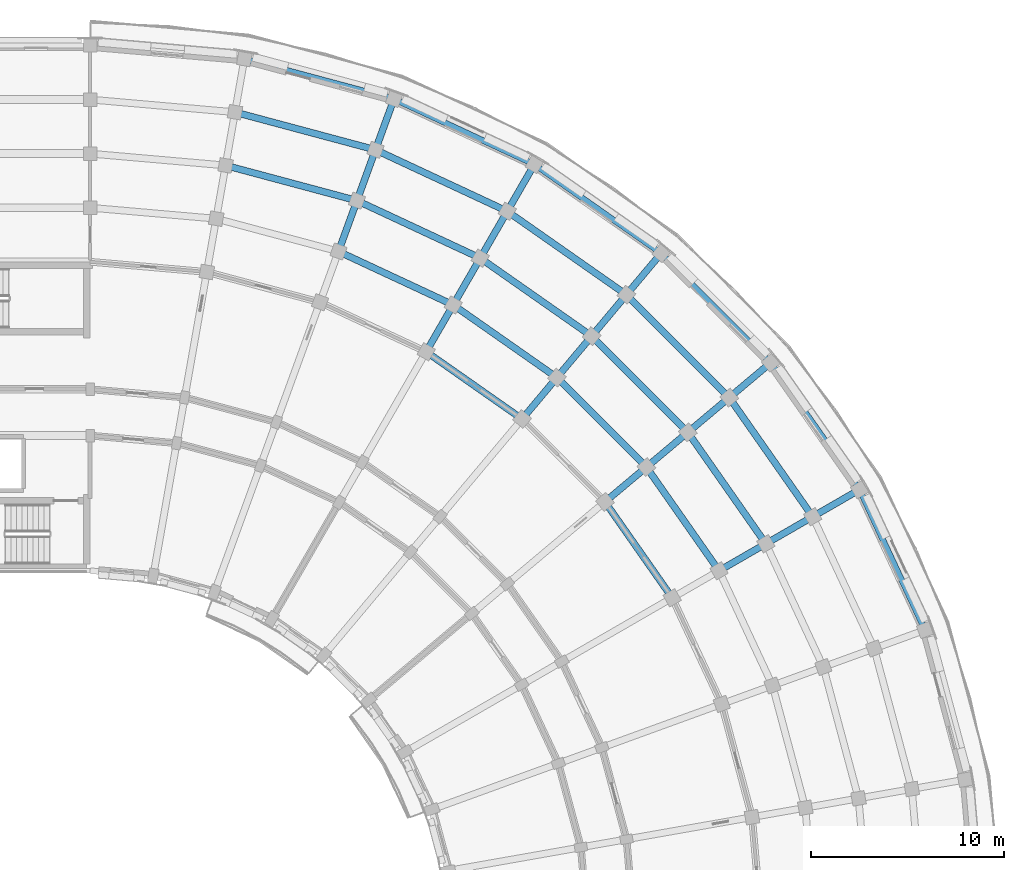
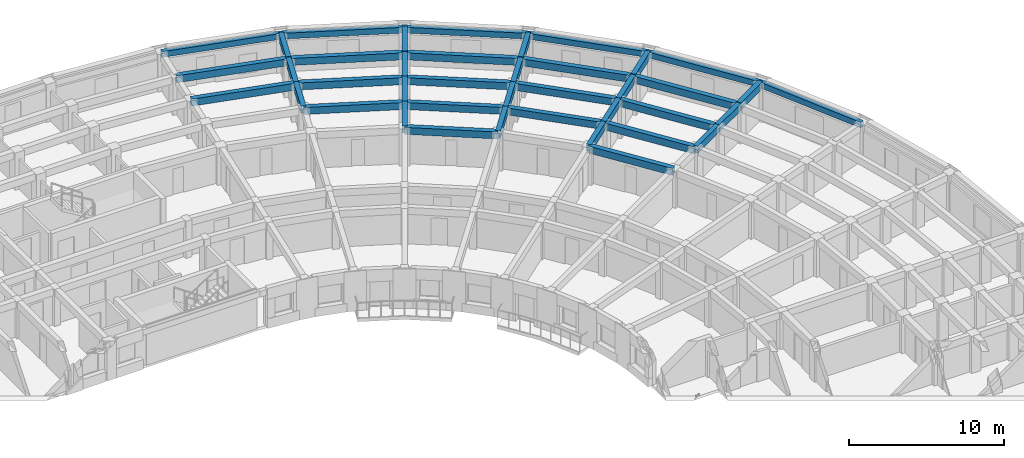
# One storey, part 13 of 54: 40 beams.
"""IFC4 building model written with IfcOpenShell, lengths in metres."""

from ifc_helpers import new_model, si_unit, direction, frame, origin, origin_2d, place, context, subcontext, project, spatial, rectangle, extrude, material, material_profile, profile_set, type_object, element, save


model = new_model("IFC4")

# Units and contexts
model_context = context("Model", 3, precision=1e-05, world=origin(), true_north=direction((0.0, 1.0)))
body_context = subcontext(model_context, "Body", "Model", "MODEL_VIEW")
ifc_project = project(units=[si_unit("LENGTHUNIT", "METRE"), si_unit("AREAUNIT", "SQUARE_METRE"), si_unit("VOLUMEUNIT", "CUBIC_METRE"), si_unit("PLANEANGLEUNIT", "RADIAN"), si_unit("MASSUNIT", "GRAM", prefix="KILO")], contexts=[model_context])

# Site, building, storey
site_placement = place(None, origin())
site = spatial("IfcSite", under=ifc_project, at=site_placement, CompositionType="ELEMENT")
building_placement = place(site_placement, origin())
building = spatial("IfcBuilding", under=site, at=building_placement, Name="Kiranvali Square Residences", CompositionType="ELEMENT")
storey_placement = place(building_placement, frame((0.0, 0.0, 27.60009765625)))
storey = spatial("IfcBuildingStorey", under=building, at=storey_placement, Name="L08", CompositionType="ELEMENT", Elevation=27.60009765625)

# Beams
ifc_material = material(Name="Concrete M40 (40 MPa)", Category="concrete")
ifc_material_profile_1 = material_profile(ifc_material, rectangle(XDim=0.35009765625, YDim=0.550048828125, at=origin_2d()), Name="RC 350x550")
ifc_profile_set_1 = profile_set([ifc_material_profile_1], Name="Concrete M40 (40 MPa)")
beam_type_1 = type_object("IfcBeamType", Name="BM-M40-350x550", PredefinedType="BEAM", material=ifc_profile_set_1)
beam_1_placement = place(storey_placement, frame((126.8154296875, 127.586181640625, 2.65478515625), z_axis=(0.965931029817, -0.258799624492, 0.0), x_axis=(0.258799624492, 0.965931029817, 0.0)))
element("IfcBeam", 1, at=beam_1_placement, inside=storey, type_object=beam_type_1, Name="L08 beam BM-B-L08-C01-R5", PredefinedType="BEAM", context=body_context, shape_type="SweptSolid", body=[
    extrude(rectangle(XDim=0.35009765625, YDim=0.550048828125, at=origin_2d()), origin(), (0.0, 0.0, 1.0), 7.042236328125),
])
beam_2_placement = place(storey_placement, frame((127.301513671875, 130.34375, 2.65478515625), z_axis=(0.965925909693, -0.258818733833, 0.0), x_axis=(0.258818733833, 0.965925909693, 0.0)))
element("IfcBeam", 2, at=beam_2_placement, inside=storey, type_object=beam_type_1, Name="L08 beam BM-B-L08-C01-R6", PredefinedType="BEAM", context=body_context, shape_type="SweptSolid", body=[
    extrude(rectangle(XDim=0.35009765625, YDim=0.550048828125, at=origin_2d()), origin(), (0.0, 0.0, 1.0), 7.5302734375),
])
beam_3_placement = place(storey_placement, frame((132.659912109375, 123.13232421875, 2.65478515625), z_axis=(0.906318225223, -0.422595876255, 0.0), x_axis=(0.422595876255, 0.906318225223, 0.0)))
element("IfcBeam", 3, at=beam_3_placement, inside=storey, type_object=beam_type_1, Name="L08 beam BM-B-L08-C02-R4", PredefinedType="BEAM", context=body_context, shape_type="SweptSolid", body=[
    extrude(rectangle(XDim=0.35009765625, YDim=0.550048828125, at=origin_2d()), origin(), (0.0, 0.0, 1.0), 6.55419921875),
])
beam_4_placement = place(storey_placement, frame((133.61767578125, 125.763671875, 2.65478515625), z_axis=(0.906297360311, -0.422640621205, 0.0), x_axis=(0.422640621205, 0.906297360311, 0.0)))
element("IfcBeam", 4, at=beam_4_placement, inside=storey, type_object=beam_type_1, Name="L08 beam BM-B-L08-C02-R5", PredefinedType="BEAM", context=body_context, shape_type="SweptSolid", body=[
    extrude(rectangle(XDim=0.35009765625, YDim=0.550048828125, at=origin_2d()), origin(), (0.0, 0.0, 1.0), 7.042236328125),
])
beam_5_placement = place(storey_placement, frame((134.5751953125, 128.394775390625, 2.65478515625), z_axis=(0.90630982703, -0.422613886933, 0.0), x_axis=(0.422613886933, 0.90630982703, 0.0)))
element("IfcBeam", 5, at=beam_5_placement, inside=storey, type_object=beam_type_1, Name="L08 beam BM-B-L08-C02-R6", PredefinedType="BEAM", context=body_context, shape_type="SweptSolid", body=[
    extrude(rectangle(XDim=0.35009765625, YDim=0.550048828125, at=origin_2d()), origin(), (0.0, 0.0, 1.0), 7.5302734375),
])
beam_6_placement = place(storey_placement, frame((137.199951171875, 117.937744140625, 2.65478515625), z_axis=(0.81913926159, -0.573594691504, 0.0), x_axis=(0.573594691504, 0.81913926159, 0.0)))
element("IfcBeam", 6, at=beam_6_placement, inside=storey, type_object=beam_type_1, Name="L08 beam BM-B-L08-C03-R3", PredefinedType="BEAM", context=body_context, shape_type="SweptSolid", body=[
    extrude(rectangle(XDim=0.35009765625, YDim=0.550048828125, at=origin_2d()), origin(), (0.0, 0.0, 1.0), 6.066162109375),
])
beam_7_placement = place(storey_placement, frame((138.60009765625, 120.362548828125, 2.65478515625), z_axis=(0.819144409176, -0.573587340268, 0.0), x_axis=(0.573587340268, 0.819144409176, 0.0)))
element("IfcBeam", 7, at=beam_7_placement, inside=storey, type_object=beam_type_1, Name="L08 beam BM-B-L08-C03-R4", PredefinedType="BEAM", context=body_context, shape_type="SweptSolid", body=[
    extrude(rectangle(XDim=0.35009765625, YDim=0.550048828125, at=origin_2d()), origin(), (0.0, 0.0, 1.0), 6.553955078125),
])
beam_8_placement = place(storey_placement, frame((140.0, 122.787353515625, 2.65478515625), z_axis=(0.819160249246, -0.57356471828, 0.0), x_axis=(0.57356471828, 0.819160249246, 0.0)))
element("IfcBeam", 8, at=beam_8_placement, inside=storey, type_object=beam_type_1, Name="L08 beam BM-B-L08-C03-R5", PredefinedType="BEAM", context=body_context, shape_type="SweptSolid", body=[
    extrude(rectangle(XDim=0.35009765625, YDim=0.550048828125, at=origin_2d()), origin(), (0.0, 0.0, 1.0), 7.0419921875),
])
beam_9_placement = place(storey_placement, frame((141.39990234375, 125.21240234375, 2.65478515625), z_axis=(0.819143569597, -0.573588539275, 0.0), x_axis=(0.573588539275, 0.819143569597, 0.0)))
element("IfcBeam", 9, at=beam_9_placement, inside=storey, type_object=beam_type_1, Name="L08 beam BM-B-L08-C03-R6", PredefinedType="BEAM", context=body_context, shape_type="SweptSolid", body=[
    extrude(rectangle(XDim=0.35009765625, YDim=0.550048828125, at=origin_2d()), origin(), (0.0, 0.0, 1.0), 7.5302734375),
])
beam_10_placement = place(storey_placement, frame((143.96875, 116.603271484375, 2.65478515625), z_axis=(0.707106781187, -0.707106781187, 0.0), x_axis=(0.707106781187, 0.707106781187, 0.0)))
element("IfcBeam", 10, at=beam_10_placement, inside=storey, type_object=beam_type_1, Name="L08 beam BM-B-L08-C04-R4", PredefinedType="BEAM", context=body_context, shape_type="SweptSolid", body=[
    extrude(rectangle(XDim=0.35009765625, YDim=0.550048828125, at=origin_2d()), origin(), (0.0, 0.0, 1.0), 6.55419921875),
])
beam_11_placement = place(storey_placement, frame((145.7685546875, 118.748291015625, 2.65478515625), z_axis=(0.707106781187, -0.707106781187, 0.0), x_axis=(0.707106781187, 0.707106781187, 0.0)))
element("IfcBeam", 11, at=beam_11_placement, inside=storey, type_object=beam_type_1, Name="L08 beam BM-B-L08-C04-R5", PredefinedType="BEAM", context=body_context, shape_type="SweptSolid", body=[
    extrude(rectangle(XDim=0.35009765625, YDim=0.550048828125, at=origin_2d()), origin(), (0.0, 0.0, 1.0), 7.04248046875),
])
beam_12_placement = place(storey_placement, frame((147.568359375, 120.89306640625, 2.65478515625), z_axis=(0.707106781187, -0.707106781187, 0.0), x_axis=(0.707106781187, 0.707106781187, 0.0)))
element("IfcBeam", 12, at=beam_12_placement, inside=storey, type_object=beam_type_1, Name="L08 beam BM-B-L08-C04-R6", PredefinedType="BEAM", context=body_context, shape_type="SweptSolid", body=[
    extrude(rectangle(XDim=0.35009765625, YDim=0.550048828125, at=origin_2d()), origin(), (0.0, 0.0, 1.0), 7.5302734375),
])
beam_13_placement = place(storey_placement, frame((146.458251953125, 110.1689453125, 2.65478515625), z_axis=(0.573594691504, -0.81913926159, 0.0), x_axis=(0.81913926159, 0.573594691504, 0.0)))
element("IfcBeam", 13, at=beam_13_placement, inside=storey, type_object=beam_type_1, Name="L08 beam BM-B-L08-C05-R3", PredefinedType="BEAM", context=body_context, shape_type="SweptSolid", body=[
    extrude(rectangle(XDim=0.35009765625, YDim=0.550048828125, at=origin_2d()), origin(), (0.0, 0.0, 1.0), 6.066162109375),
])
beam_14_placement = place(storey_placement, frame((148.603271484375, 111.96875, 2.65478515625), z_axis=(0.573587340268, -0.819144409176, 0.0), x_axis=(0.819144409176, 0.573587340268, 0.0)))
element("IfcBeam", 14, at=beam_14_placement, inside=storey, type_object=beam_type_1, Name="L08 beam BM-B-L08-C05-R4", PredefinedType="BEAM", context=body_context, shape_type="SweptSolid", body=[
    extrude(rectangle(XDim=0.35009765625, YDim=0.550048828125, at=origin_2d()), origin(), (0.0, 0.0, 1.0), 6.553955078125),
])
beam_15_placement = place(storey_placement, frame((150.748291015625, 113.7685546875, 2.65478515625), z_axis=(0.57356471828, -0.819160249246, 0.0), x_axis=(0.819160249246, 0.57356471828, 0.0)))
element("IfcBeam", 15, at=beam_15_placement, inside=storey, type_object=beam_type_1, Name="L08 beam BM-B-L08-C05-R5", PredefinedType="BEAM", context=body_context, shape_type="SweptSolid", body=[
    extrude(rectangle(XDim=0.35009765625, YDim=0.550048828125, at=origin_2d()), origin(), (0.0, 0.0, 1.0), 7.0419921875),
])
beam_16_placement = place(storey_placement, frame((152.89306640625, 115.568359375, 2.65478515625), z_axis=(0.573588539275, -0.819143569597, 0.0), x_axis=(0.819143569597, 0.573588539275, 0.0)))
element("IfcBeam", 16, at=beam_16_placement, inside=storey, type_object=beam_type_1, Name="L08 beam BM-B-L08-C05-R6", PredefinedType="BEAM", context=body_context, shape_type="SweptSolid", body=[
    extrude(rectangle(XDim=0.35009765625, YDim=0.550048828125, at=origin_2d()), origin(), (0.0, 0.0, 1.0), 7.5302734375),
])
beam_17_placement = place(storey_placement, frame((132.659912109375, 123.13232421875, 2.65478515625), z_axis=(0.342030060398, 0.939689011208, 0.0), x_axis=(-0.939689011208, 0.342030060398, 0.0)))
element("IfcBeam", 17, at=beam_17_placement, inside=storey, type_object=beam_type_1, Name="L08 beam BM-B-L08-RAD02-45", PredefinedType="BEAM", context=body_context, shape_type="SweptSolid", body=[
    extrude(rectangle(XDim=0.35009765625, YDim=0.550048828125, at=origin_2d()), origin(), (0.0, 0.0, 1.0), 2.80029296875),
])
beam_18_placement = place(storey_placement, frame((133.61767578125, 125.763671875, 2.65478515625), z_axis=(0.341981089711, 0.93970683422, 0.0), x_axis=(-0.93970683422, 0.341981089711, 0.0)))
element("IfcBeam", 18, at=beam_18_placement, inside=storey, type_object=beam_type_1, Name="L08 beam BM-B-L08-RAD02-56", PredefinedType="BEAM", context=body_context, shape_type="SweptSolid", body=[
    extrude(rectangle(XDim=0.35009765625, YDim=0.550048828125, at=origin_2d()), origin(), (0.0, 0.0, 1.0), 2.7998046875),
])
for number, where, z_axis, x_axis, name in (
    (19, (134.5751953125, 128.394775390625, 2.69482421875), (0.342058084236, 0.939678810556, 0.0), (-0.939678810556, 0.342058084236, 0.0), "L08 beam BM-B-L08-RAD02-67"),
    (20, (137.199951171875, 117.937744140625, 2.65478515625), (0.500049511043, 0.865996816683, 0.0), (-0.865996816683, 0.500049511043, 0.0), "L08 beam BM-B-L08-RAD03-34"),
):
    element("IfcBeam", number, at=place(storey_placement, frame(where, z_axis=z_axis, x_axis=x_axis)), inside=storey, type_object=beam_type_1, Name=name, PredefinedType="BEAM", context=body_context, shape_type="SweptSolid", body=[
        extrude(rectangle(XDim=0.35009765625, YDim=0.550048828125, at=origin_2d()), origin(), (0.0, 0.0, 1.0), 2.800048828125),
    ])
beam_19_placement = place(storey_placement, frame((138.60009765625, 120.362548828125, 2.65478515625), z_axis=(0.49998411664, 0.866034573852, 0.0), x_axis=(-0.866034573852, 0.49998411664, 0.0)))
element("IfcBeam", 21, at=beam_19_placement, inside=storey, type_object=beam_type_1, Name="L08 beam BM-B-L08-RAD03-45", PredefinedType="BEAM", context=body_context, shape_type="SweptSolid", body=[
    extrude(rectangle(XDim=0.35009765625, YDim=0.550048828125, at=origin_2d()), origin(), (0.0, 0.0, 1.0), 2.7998046875),
])
for number, where, z_axis, x_axis, name in (
    (22, (140.0, 122.787353515625, 2.65478515625), (0.49994636267, 0.866056369097, 0.0), (-0.866056369097, 0.49994636267, 0.0), "L08 beam BM-B-L08-RAD03-56"),
    (23, (141.39990234375, 125.21240234375, 2.69482421875), (0.500049511043, 0.865996816683, 0.0), (-0.865996816683, 0.500049511043, 0.0), "L08 beam BM-B-L08-RAD03-67"),
    (24, (142.1689453125, 114.458251953125, 2.65478515625), (0.642770757628, 0.766058583359, 0.0), (-0.766058583359, 0.642770757628, 0.0), "L08 beam BM-B-L08-RAD04-34"),
    (25, (143.96875, 116.603271484375, 2.65478515625), (0.642770757628, 0.766058583359, 0.0), (-0.766058583359, 0.642770757628, 0.0), "L08 beam BM-B-L08-RAD04-45"),
):
    element("IfcBeam", number, at=place(storey_placement, frame(where, z_axis=z_axis, x_axis=x_axis)), inside=storey, type_object=beam_type_1, Name=name, PredefinedType="BEAM", context=body_context, shape_type="SweptSolid", body=[
        extrude(rectangle(XDim=0.35009765625, YDim=0.550048828125, at=origin_2d()), origin(), (0.0, 0.0, 1.0), 2.800048828125),
    ])
beam_20_placement = place(storey_placement, frame((145.7685546875, 118.748291015625, 2.65478515625), z_axis=(0.642813692253, 0.76602255649, 0.0), x_axis=(-0.76602255649, 0.642813692253, 0.0)))
element("IfcBeam", 26, at=beam_20_placement, inside=storey, type_object=beam_type_1, Name="L08 beam BM-B-L08-RAD04-56", PredefinedType="BEAM", context=body_context, shape_type="SweptSolid", body=[
    extrude(rectangle(XDim=0.35009765625, YDim=0.550048828125, at=origin_2d()), origin(), (0.0, 0.0, 1.0), 2.7998046875),
])
for number, where, z_axis, x_axis, name in (
    (27, (147.568359375, 120.89306640625, 2.69482421875), (0.642770757628, 0.766058583359, 0.0), (-0.766058583359, 0.642770757628, 0.0), "L08 beam BM-B-L08-RAD04-67"),
    (28, (146.458251953125, 110.1689453125, 2.65478515625), (0.766058583359, 0.642770757628, 0.0), (-0.642770757628, 0.766058583359, 0.0), "L08 beam BM-B-L08-RAD05-34"),
    (29, (148.603271484375, 111.96875, 2.65478515625), (0.766058583359, 0.642770757628, 0.0), (-0.642770757628, 0.766058583359, 0.0), "L08 beam BM-B-L08-RAD05-45"),
):
    element("IfcBeam", number, at=place(storey_placement, frame(where, z_axis=z_axis, x_axis=x_axis)), inside=storey, type_object=beam_type_1, Name=name, PredefinedType="BEAM", context=body_context, shape_type="SweptSolid", body=[
        extrude(rectangle(XDim=0.35009765625, YDim=0.550048828125, at=origin_2d()), origin(), (0.0, 0.0, 1.0), 2.800048828125),
    ])
beam_21_placement = place(storey_placement, frame((150.748291015625, 113.7685546875, 2.65478515625), z_axis=(0.76602255649, 0.642813692253, 0.0), x_axis=(-0.642813692253, 0.76602255649, 0.0)))
element("IfcBeam", 30, at=beam_21_placement, inside=storey, type_object=beam_type_1, Name="L08 beam BM-B-L08-RAD05-56", PredefinedType="BEAM", context=body_context, shape_type="SweptSolid", body=[
    extrude(rectangle(XDim=0.35009765625, YDim=0.550048828125, at=origin_2d()), origin(), (0.0, 0.0, 1.0), 2.7998046875),
])
beam_22_placement = place(storey_placement, frame((152.89306640625, 115.568359375, 2.69482421875), z_axis=(0.766058583359, 0.642770757628, 0.0), x_axis=(-0.642770757628, 0.766058583359, 0.0)))
element("IfcBeam", 31, at=beam_22_placement, inside=storey, type_object=beam_type_1, Name="L08 beam BM-B-L08-RAD05-67", PredefinedType="BEAM", context=body_context, shape_type="SweptSolid", body=[
    extrude(rectangle(XDim=0.35009765625, YDim=0.550048828125, at=origin_2d()), origin(), (0.0, 0.0, 1.0), 2.800048828125),
])
beam_23_placement = place(storey_placement, frame((152.362548828125, 106.60009765625, 2.65478515625), z_axis=(0.866034573852, 0.49998411664, 0.0), x_axis=(-0.49998411664, 0.866034573852, 0.0)))
element("IfcBeam", 32, at=beam_23_placement, inside=storey, type_object=beam_type_1, Name="L08 beam BM-B-L08-RAD06-45", PredefinedType="BEAM", context=body_context, shape_type="SweptSolid", body=[
    extrude(rectangle(XDim=0.35009765625, YDim=0.550048828125, at=origin_2d()), origin(), (0.0, 0.0, 1.0), 2.7998046875),
])
for number, where, z_axis, x_axis, name in (
    (33, (154.787353515625, 108.0, 2.65478515625), (0.866056369097, 0.49994636267, 0.0), (-0.49994636267, 0.866056369097, 0.0), "L08 beam BM-B-L08-RAD06-56"),
    (34, (157.21240234375, 109.39990234375, 2.69482421875), (0.865996816683, 0.500049511043, 0.0), (-0.500049511043, 0.865996816683, 0.0), "L08 beam BM-B-L08-RAD06-67"),
):
    element("IfcBeam", number, at=place(storey_placement, frame(where, z_axis=z_axis, x_axis=x_axis)), inside=storey, type_object=beam_type_1, Name=name, PredefinedType="BEAM", context=body_context, shape_type="SweptSolid", body=[
        extrude(rectangle(XDim=0.35009765625, YDim=0.550048828125, at=origin_2d()), origin(), (0.0, 0.0, 1.0), 2.800048828125),
    ])
ifc_material_profile_2 = material_profile(ifc_material, rectangle(XDim=0.300048828125, YDim=0.449951171875, at=origin_2d()), Name="RC 300x450")
ifc_profile_set_2 = profile_set([ifc_material_profile_2], Name="Concrete M40 (40 MPa)")
beam_type_2 = type_object("IfcBeamType", Name="SPN-M40-300x450", PredefinedType="SPANDREL", material=ifc_profile_set_2)
for number, where, z_axis, x_axis, name in (
    (35, (127.787841796875, 133.10107421875, 2.744873046875), (0.96592902462, -0.258807108475, 0.0), (0.258807108475, 0.96592902462, 0.0), "L08 beam BM-B-L08-C01-R7"),
    (36, (135.532958984375, 131.02587890625, 2.744873046875), (0.906309113636, -0.422615416827, 0.0), (0.422615416827, 0.906309113636, 0.0), "L08 beam BM-B-L08-C02-R7"),
    (37, (142.800048828125, 127.63720703125, 2.744873046875), (0.819147515001, -0.573582904791, 0.0), (0.573582904791, 0.819147515001, 0.0), "L08 beam BM-B-L08-C03-R7"),
):
    element("IfcBeam", number, at=place(storey_placement, frame(where, z_axis=z_axis, x_axis=x_axis)), inside=storey, type_object=beam_type_2, Name=name, PredefinedType="SPANDREL", context=body_context, shape_type="SweptSolid", body=[
        extrude(rectangle(XDim=0.300048828125, YDim=0.449951171875, at=origin_2d()), origin(), (0.0, 0.0, 1.0), 8.018310546875),
    ])
beam_24_placement = place(storey_placement, frame((149.3681640625, 123.0380859375, 2.744873046875), z_axis=(0.707106781187, -0.707106781187, 0.0), x_axis=(0.707106781187, 0.707106781187, 0.0)))
element("IfcBeam", 38, at=beam_24_placement, inside=storey, type_object=beam_type_2, Name="L08 beam BM-B-L08-C04-R7", PredefinedType="SPANDREL", context=body_context, shape_type="SweptSolid", body=[
    extrude(rectangle(XDim=0.300048828125, YDim=0.449951171875, at=origin_2d()), origin(), (0.0, 0.0, 1.0), 8.0185546875),
])
for number, where, z_axis, x_axis, name in (
    (39, (155.0380859375, 117.3681640625, 2.744873046875), (0.573582904791, -0.819147515001, 0.0), (0.819147515001, 0.573582904791, 0.0), "L08 beam BM-B-L08-C05-R7"),
    (40, (159.63720703125, 110.800048828125, 2.744873046875), (0.422615416827, -0.906309113636, 0.0), (0.906309113636, 0.422615416827, 0.0), "L08 beam BM-B-L08-C06-R7"),
):
    element("IfcBeam", number, at=place(storey_placement, frame(where, z_axis=z_axis, x_axis=x_axis)), inside=storey, type_object=beam_type_2, Name=name, PredefinedType="SPANDREL", context=body_context, shape_type="SweptSolid", body=[
        extrude(rectangle(XDim=0.300048828125, YDim=0.449951171875, at=origin_2d()), origin(), (0.0, 0.0, 1.0), 8.018310546875),
    ])

save(model, "model.ifc")
